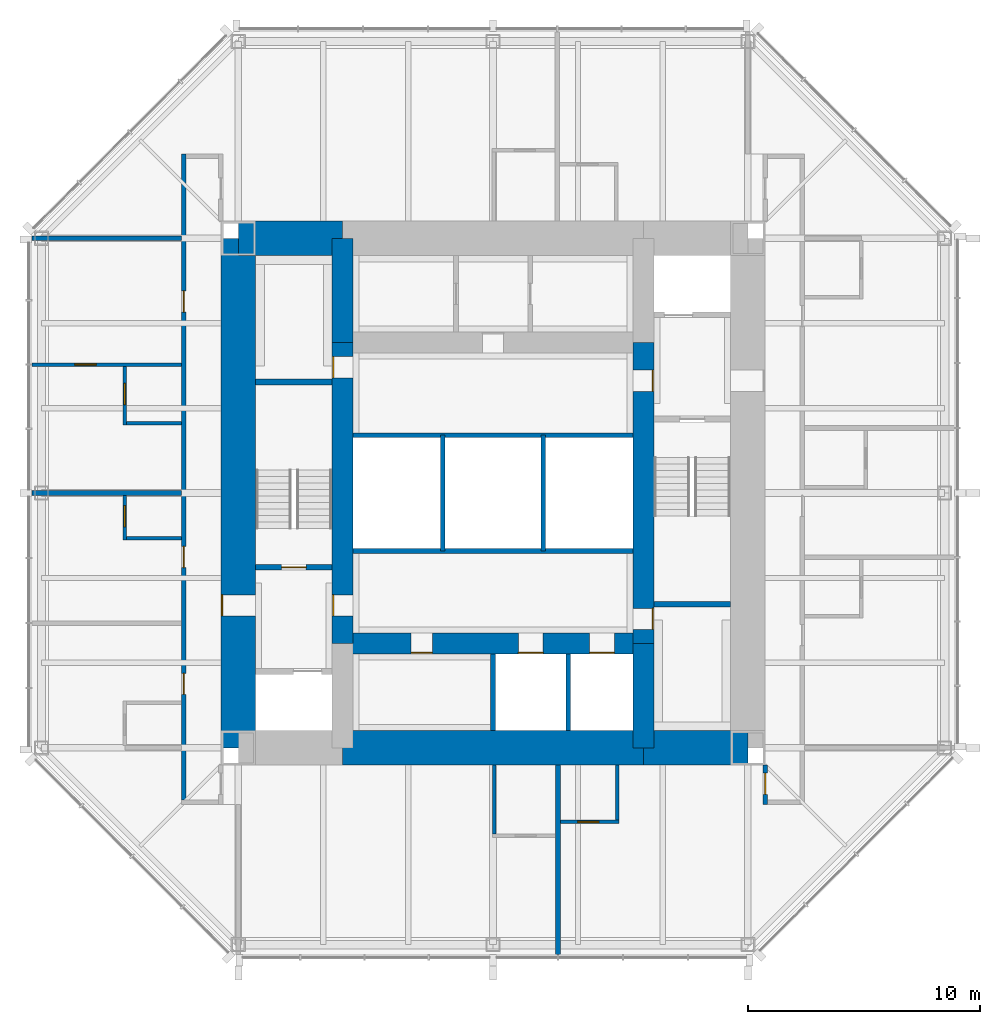
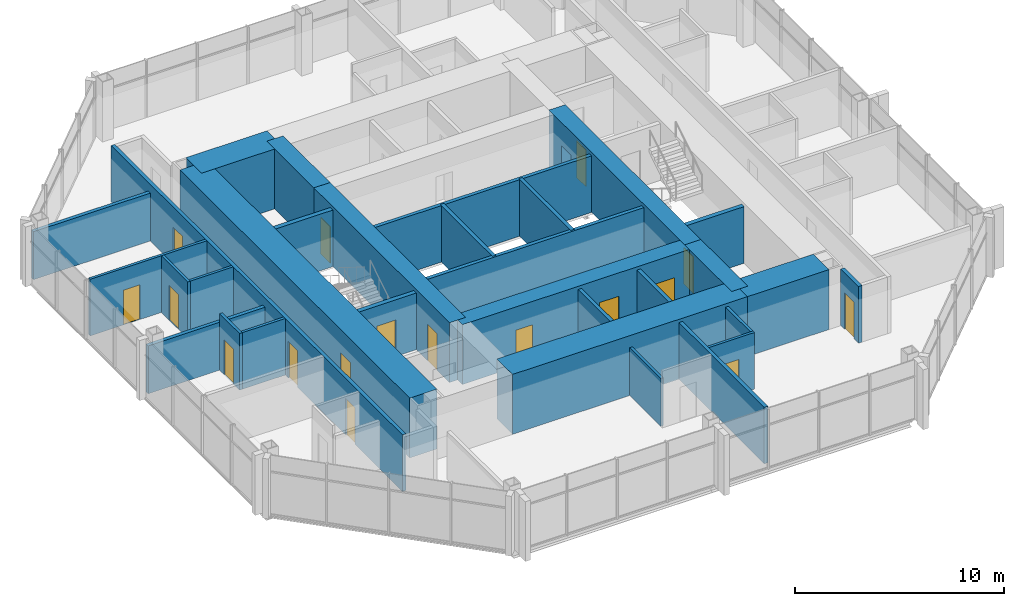
# One storey, part 8 of 11: 31 walls, 17 doors, 17 openings.
"""IFC4 building model written with IfcOpenShell, lengths in metres."""

from ifc_helpers import new_model, si_unit, direction, frame, frame_2d, origin, place, context, subcontext, project, spatial, rectangle, extrude, material, layer, layer_set, type_object, element, fill, save


model = new_model("IFC4")

# Units and contexts
model_context = context("Model", 3, precision=1e-05, world=origin(), true_north=direction((0.0, 1.0)))
body_context = subcontext(model_context, "Body", "Model", "MODEL_VIEW")
ifc_project = project(units=[si_unit("LENGTHUNIT", "METRE"), si_unit("AREAUNIT", "SQUARE_METRE"), si_unit("VOLUMEUNIT", "CUBIC_METRE"), si_unit("PLANEANGLEUNIT", "RADIAN"), si_unit("MASSUNIT", "GRAM", prefix="KILO")], contexts=[model_context])

# Site, building, storey
site_placement = place(None, origin())
site = spatial("IfcSite", under=ifc_project, at=site_placement, CompositionType="ELEMENT")
building_placement = place(site_placement, origin())
building = spatial("IfcBuilding", under=site, at=building_placement, Name="Trevanion Tower", CompositionType="ELEMENT")
storey_placement = place(building_placement, frame((0.0, 0.0, 250.199951171875)))
storey = spatial("IfcBuildingStorey", under=building, at=storey_placement, Name="L61", CompositionType="ELEMENT", Elevation=250.199951171875)

# Wall, opening, door
ifc_material_1 = material(Name="Concrete 10,000 psi", Category="concrete")
ifc_layer_1 = layer(ifc_material_1, 1.5)
ifc_layer_set_1 = layer_set([ifc_layer_1], Name="CW1 core wall 1500")
wall_type_1 = type_object("IfcWallType", Name="CW1 core wall 1500", PredefinedType="SHEAR", material=ifc_layer_set_1)
wall_1_placement = place(storey_placement, frame((-11.0, 11.0, 0.0), z_axis=(0.0, 0.0, 1.0), x_axis=(0.0, -1.0, 0.0)))
wall_1 = element("IfcWall", 1, at=wall_1_placement, inside=storey, type_object=wall_type_1, Name="CW1 CW L61", PredefinedType="SHEAR", context=body_context, shape_type="SweptSolid", body=[
    extrude(rectangle(XDim=22.0, YDim=1.5, at=frame_2d((11.0, 0.0))), origin(), (0.0, 0.0, 1.0), 3.5),
])
opening_1_placement = place(wall_1_placement, frame((15.392578125, 0.0, 0.0)))
opening_1 = element("IfcOpeningElement", 2, at=opening_1_placement, cuts=wall_1, Name="Opening 61-002", PredefinedType="OPENING", context=body_context, shape_type="SweptSolid", body=[
    extrude(rectangle(XDim=0.9150390625, YDim=2.134033203125, at=frame_2d((0.45751953125, 1.06689453125))), frame((0.0, 0.760009765625, 0.0), z_axis=(0.0, -1.0, 0.0), x_axis=(1.0, 0.0, 0.0)), (0.0, 0.0, 1.0), 1.52001953125),
])
ifc_material_2 = material(Name="Hollow metal, fire rated", Category="steel")
door_type_1 = type_object("IfcDoorType", Name="D3 fire lift lobby door", OperationType="SINGLE_SWING_RIGHT", PredefinedType="DOOR", material=ifc_material_2)
door_1_placement = place(opening_1_placement, origin())
door_1 = element("IfcDoor", 3, at=door_1_placement, inside=storey, type_object=door_type_1, Name="Door 61-002", OperationType="SINGLE_SWING_RIGHT", OverallHeight=2.134033203125, OverallWidth=0.9150390625, PredefinedType="DOOR", context=body_context, shape_type="SweptSolid", body=[
    extrude(rectangle(XDim=0.9150390625, YDim=2.134033203125, at=frame_2d((0.45751953125, 1.06689453125))), frame((0.0, -0.6748046875, 0.0), z_axis=(0.0, -1.0, 0.0), x_axis=(1.0, 0.0, 0.0)), (0.0, 0.0, 1.0), 0.050048828125),
])
fill(opening_1, door_1)

# Walls
wall_2_placement = place(storey_placement, frame((-6.5, 11.0, 0.0), z_axis=(0.0, 0.0, 1.0), x_axis=(-1.0, 0.0, 0.0)))
element("IfcWall", 4, at=wall_2_placement, inside=storey, type_object=wall_type_1, Name="CW1 CN3 L61", PredefinedType="SHEAR", context=body_context, shape_type="SweptSolid", body=[
    extrude(rectangle(XDim=4.5, YDim=1.5, at=frame_2d((2.25, 0.0))), origin(), (0.0, 0.0, 1.0), 3.5),
])
wall_3_placement = place(storey_placement, frame((-6.5, -11.0, 0.0), z_axis=(0.0, 0.0, 1.0), x_axis=(1.0, 0.0, 0.0)))
element("IfcWall", 5, at=wall_3_placement, inside=storey, type_object=wall_type_1, Name="CW1 CS2 L61", PredefinedType="SHEAR", context=body_context, shape_type="SweptSolid", body=[
    extrude(rectangle(XDim=13.0, YDim=1.5, at=frame_2d((6.5, 0.0))), origin(), (0.0, 0.0, 1.0), 3.5),
])
wall_4_placement = place(storey_placement, frame((6.5, -11.0, 0.0), z_axis=(0.0, 0.0, 1.0), x_axis=(1.0, 0.0, 0.0)))
element("IfcWall", 6, at=wall_4_placement, inside=storey, type_object=wall_type_1, Name="CW1 CS3 L61", PredefinedType="SHEAR", context=body_context, shape_type="SweptSolid", body=[
    extrude(rectangle(XDim=4.5, YDim=1.5, at=frame_2d((2.25, 0.0))), origin(), (0.0, 0.0, 1.0), 3.5),
])
ifc_material_3 = material(Name="Concrete 10,000 psi", Category="concrete")
ifc_layer_2 = layer(ifc_material_3, 0.89990234375)
ifc_layer_set_2 = layer_set([ifc_layer_2], Name="CW2 core wall 900")
wall_type_2 = type_object("IfcWallType", Name="CW2 core wall 900", PredefinedType="SHEAR", material=ifc_layer_set_2)
wall_5_placement = place(storey_placement, frame((6.5, -11.0, 0.0), z_axis=(0.0, 0.0, 1.0), x_axis=(0.0, 1.0, 0.0)))
element("IfcWall", 7, at=wall_5_placement, inside=storey, type_object=wall_type_2, Name="CW2 RE1 L61", PredefinedType="SHEAR", context=body_context, shape_type="SweptSolid", body=[
    extrude(rectangle(XDim=4.5, YDim=0.89990234375, at=frame_2d((2.25, 0.0))), origin(), (0.0, 0.0, 1.0), 3.5),
])

# Wall, openings, doors
wall_6_placement = place(storey_placement, frame((6.5, -6.5, 0.0), z_axis=(0.0, 0.0, 1.0), x_axis=(0.0, 1.0, 0.0)))
wall_6 = element("IfcWall", 8, at=wall_6_placement, inside=storey, type_object=wall_type_2, Name="CW2 RE2 L61", PredefinedType="SHEAR", context=body_context, shape_type="SweptSolid", body=[
    extrude(rectangle(XDim=13.0, YDim=0.89990234375, at=frame_2d((6.5, 0.0))), origin(), (0.0, 0.0, 1.0), 3.5),
])
opening_2_placement = place(wall_6_placement, frame((10.892578125, 0.0, 0.0)))
opening_2 = element("IfcOpeningElement", 9, at=opening_2_placement, cuts=wall_6, Name="Opening 61-003", PredefinedType="OPENING", context=body_context, shape_type="SweptSolid", body=[
    extrude(rectangle(XDim=0.9150390625, YDim=2.134033203125, at=frame_2d((0.45751953125, 1.06689453125))), frame((0.0, 0.4599609375, 0.0), z_axis=(0.0, -1.0, 0.0), x_axis=(1.0, 0.0, 0.0)), (0.0, 0.0, 1.0), 0.919921875),
])
opening_3_placement = place(wall_6_placement, frame((0.610107421875, 0.0, 0.0)))
opening_3 = element("IfcOpeningElement", 10, at=opening_3_placement, cuts=wall_6, Name="Opening 61-009", PredefinedType="OPENING", context=body_context, shape_type="SweptSolid", body=[
    extrude(rectangle(XDim=0.9150390625, YDim=2.134033203125, at=frame_2d((0.45751953125, 1.06689453125))), frame((0.0, 0.4599609375, 0.0), z_axis=(0.0, -1.0, 0.0), x_axis=(1.0, 0.0, 0.0)), (0.0, 0.0, 1.0), 0.919921875),
])
door_2_placement = place(opening_2_placement, origin())
door_2 = element("IfcDoor", 11, at=door_2_placement, inside=storey, type_object=door_type_1, Name="Door 61-003", OperationType="SINGLE_SWING_RIGHT", OverallHeight=2.134033203125, OverallWidth=0.9150390625, PredefinedType="DOOR", context=body_context, shape_type="SweptSolid", body=[
    extrude(rectangle(XDim=0.9150390625, YDim=2.134033203125, at=frame_2d((0.45751953125, 1.06689453125))), frame((0.0, -0.375, 0.0), z_axis=(0.0, -1.0, 0.0), x_axis=(1.0, 0.0, 0.0)), (0.0, 0.0, 1.0), 0.050048828125),
])
fill(opening_2, door_2)
ifc_material_4 = material(Name="Hollow metal, fire rated", Category="steel")
door_type_2 = type_object("IfcDoorType", Name="D5 service room door", OperationType="SINGLE_SWING_RIGHT", PredefinedType="DOOR", material=ifc_material_4)
door_3_placement = place(opening_3_placement, origin())
door_3 = element("IfcDoor", 12, at=door_3_placement, inside=storey, type_object=door_type_2, Name="Door 61-009", OperationType="SINGLE_SWING_RIGHT", OverallHeight=2.134033203125, OverallWidth=0.9150390625, PredefinedType="DOOR", context=body_context, shape_type="SweptSolid", body=[
    extrude(rectangle(XDim=0.9150390625, YDim=2.134033203125, at=frame_2d((0.45751953125, 1.06689453125))), frame((0.0, -0.375, 0.0), z_axis=(0.0, -1.0, 0.0), x_axis=(1.0, 0.0, 0.0)), (0.0, 0.0, 1.0), 0.050048828125),
])
fill(opening_3, door_3)

# Wall
wall_7_placement = place(storey_placement, frame((-6.5, 11.0, 0.0), z_axis=(0.0, 0.0, 1.0), x_axis=(0.0, -1.0, 0.0)))
element("IfcWall", 13, at=wall_7_placement, inside=storey, type_object=wall_type_2, Name="CW2 RW1 L61", PredefinedType="SHEAR", context=body_context, shape_type="SweptSolid", body=[
    extrude(rectangle(XDim=4.5, YDim=0.89990234375, at=frame_2d((2.25, 0.0))), origin(), (0.0, 0.0, 1.0), 3.5),
])

# Wall, openings, doors
wall_8_placement = place(storey_placement, frame((-6.5, 6.5, 0.0), z_axis=(0.0, 0.0, 1.0), x_axis=(0.0, -1.0, 0.0)))
wall_8 = element("IfcWall", 14, at=wall_8_placement, inside=storey, type_object=wall_type_2, Name="CW2 RW2 L61", PredefinedType="SHEAR", context=body_context, shape_type="SweptSolid", body=[
    extrude(rectangle(XDim=13.0, YDim=0.89990234375, at=frame_2d((6.5, 0.0))), origin(), (0.0, 0.0, 1.0), 3.5),
])
opening_4_placement = place(wall_8_placement, frame((10.892578125, 0.0, 0.0)))
opening_4 = element("IfcOpeningElement", 15, at=opening_4_placement, cuts=wall_8, Name="Opening 61-004", PredefinedType="OPENING", context=body_context, shape_type="SweptSolid", body=[
    extrude(rectangle(XDim=0.9150390625, YDim=2.134033203125, at=frame_2d((0.45751953125, 1.06689453125))), frame((0.0, 0.4599609375, 0.0), z_axis=(0.0, -1.0, 0.0), x_axis=(1.0, 0.0, 0.0)), (0.0, 0.0, 1.0), 0.919921875),
])
opening_5_placement = place(wall_8_placement, frame((0.610107421875, 0.0, 0.0)))
opening_5 = element("IfcOpeningElement", 16, at=opening_5_placement, cuts=wall_8, Name="Opening 61-010", PredefinedType="OPENING", context=body_context, shape_type="SweptSolid", body=[
    extrude(rectangle(XDim=0.9150390625, YDim=2.134033203125, at=frame_2d((0.45751953125, 1.06689453125))), frame((0.0, 0.4599609375, 0.0), z_axis=(0.0, -1.0, 0.0), x_axis=(1.0, 0.0, 0.0)), (0.0, 0.0, 1.0), 0.919921875),
])
door_4_placement = place(opening_4_placement, origin())
door_4 = element("IfcDoor", 17, at=door_4_placement, inside=storey, type_object=door_type_1, Name="Door 61-004", OperationType="SINGLE_SWING_RIGHT", OverallHeight=2.134033203125, OverallWidth=0.9150390625, PredefinedType="DOOR", context=body_context, shape_type="SweptSolid", body=[
    extrude(rectangle(XDim=0.9150390625, YDim=2.134033203125, at=frame_2d((0.45751953125, 1.06689453125))), frame((0.0, -0.375, 0.0), z_axis=(0.0, -1.0, 0.0), x_axis=(1.0, 0.0, 0.0)), (0.0, 0.0, 1.0), 0.050048828125),
])
fill(opening_4, door_4)
door_5_placement = place(opening_5_placement, origin())
door_5 = element("IfcDoor", 18, at=door_5_placement, inside=storey, type_object=door_type_2, Name="Door 61-010", OperationType="SINGLE_SWING_RIGHT", OverallHeight=2.134033203125, OverallWidth=0.9150390625, PredefinedType="DOOR", context=body_context, shape_type="SweptSolid", body=[
    extrude(rectangle(XDim=0.9150390625, YDim=2.134033203125, at=frame_2d((0.45751953125, 1.06689453125))), frame((0.0, -0.375, 0.0), z_axis=(0.0, -1.0, 0.0), x_axis=(1.0, 0.0, 0.0)), (0.0, 0.0, 1.0), 0.050048828125),
])
fill(opening_5, door_5)

wall_9_placement = place(storey_placement, frame((-6.5, -6.5, 0.0), z_axis=(0.0, 0.0, 1.0), x_axis=(1.0, 0.0, 0.0)))
wall_9 = element("IfcWall", 19, at=wall_9_placement, inside=storey, type_object=wall_type_2, Name="CW2 RS L61", PredefinedType="SHEAR", context=body_context, shape_type="SweptSolid", body=[
    extrude(rectangle(XDim=13.0, YDim=0.89990234375, at=frame_2d((6.5, 0.0))), origin(), (0.0, 0.0, 1.0), 3.5),
])
opening_6_placement = place(wall_9_placement, frame((7.591552734375, 0.0, 0.0)))
opening_6 = element("IfcOpeningElement", 20, at=opening_6_placement, cuts=wall_9, Name="Opening 61-011", PredefinedType="OPENING", context=body_context, shape_type="SweptSolid", body=[
    extrude(rectangle(XDim=1.06689453125, YDim=2.134033203125, at=frame_2d((0.533447265625, 1.06689453125))), frame((0.0, 0.4599609375, 0.0), z_axis=(0.0, -1.0, 0.0), x_axis=(1.0, 0.0, 0.0)), (0.0, 0.0, 1.0), 0.919921875),
])
opening_7_placement = place(wall_9_placement, frame((10.66650390625, 0.0, 0.0)))
opening_7 = element("IfcOpeningElement", 21, at=opening_7_placement, cuts=wall_9, Name="Opening 61-012", PredefinedType="OPENING", context=body_context, shape_type="SweptSolid", body=[
    extrude(rectangle(XDim=1.06689453125, YDim=2.134033203125, at=frame_2d((0.533447265625, 1.06689453125))), frame((0.0, 0.4599609375, 0.0), z_axis=(0.0, -1.0, 0.0), x_axis=(1.0, 0.0, 0.0)), (0.0, 0.0, 1.0), 0.919921875),
])
opening_8_placement = place(wall_9_placement, frame((2.967529296875, 0.0, 0.0)))
opening_8 = element("IfcOpeningElement", 22, at=opening_8_placement, cuts=wall_9, Name="Opening 61-013", PredefinedType="OPENING", context=body_context, shape_type="SweptSolid", body=[
    extrude(rectangle(XDim=0.9150390625, YDim=2.134033203125, at=frame_2d((0.45751953125, 1.06689453125))), frame((0.0, 0.4599609375, 0.0), z_axis=(0.0, -1.0, 0.0), x_axis=(1.0, 0.0, 0.0)), (0.0, 0.0, 1.0), 0.919921875),
])
door_6_placement = place(opening_8_placement, origin())
door_6 = element("IfcDoor", 23, at=door_6_placement, inside=storey, type_object=door_type_2, Name="Door 61-013", OperationType="SINGLE_SWING_RIGHT", OverallHeight=2.134033203125, OverallWidth=0.9150390625, PredefinedType="DOOR", context=body_context, shape_type="SweptSolid", body=[
    extrude(rectangle(XDim=0.9150390625, YDim=2.134033203125, at=frame_2d((0.45751953125, 1.06689453125))), frame((0.0, -0.375, 0.0), z_axis=(0.0, -1.0, 0.0), x_axis=(1.0, 0.0, 0.0)), (0.0, 0.0, 1.0), 0.050048828125),
])
fill(opening_8, door_6)
ifc_material_5 = material(Name="Stainless steel, fire rated", Category="steel")
door_type_3 = type_object("IfcDoorType", Name="LD1 lift landing door", OperationType="SLIDING_TO_LEFT", PredefinedType="DOOR", material=ifc_material_5)
door_7_placement = place(opening_6_placement, origin())
door_7 = element("IfcDoor", 24, at=door_7_placement, inside=storey, type_object=door_type_3, Name="Door 61-011", OperationType="SLIDING_TO_LEFT", OverallHeight=2.134033203125, OverallWidth=1.06689453125, PredefinedType="DOOR", context=body_context, shape_type="SweptSolid", body=[
    extrude(rectangle(XDim=1.06689453125, YDim=2.134033203125, at=frame_2d((0.533447265625, 1.06689453125))), frame((0.0, -0.375, 0.0), z_axis=(0.0, -1.0, 0.0), x_axis=(1.0, 0.0, 0.0)), (0.0, 0.0, 1.0), 0.050048828125),
])
fill(opening_6, door_7)
door_8_placement = place(opening_7_placement, origin())
door_8 = element("IfcDoor", 25, at=door_8_placement, inside=storey, type_object=door_type_3, Name="Door 61-012", OperationType="SLIDING_TO_LEFT", OverallHeight=2.134033203125, OverallWidth=1.06689453125, PredefinedType="DOOR", context=body_context, shape_type="SweptSolid", body=[
    extrude(rectangle(XDim=1.06689453125, YDim=2.134033203125, at=frame_2d((0.533447265625, 1.06689453125))), frame((0.0, -0.375, 0.0), z_axis=(0.0, -1.0, 0.0), x_axis=(1.0, 0.0, 0.0)), (0.0, 0.0, 1.0), 0.050048828125),
])
fill(opening_7, door_8)

# Wall, opening, door
ifc_material_6 = material(Name="Gypsum board on steel studs", Category="steel")
ifc_layer_3 = layer(ifc_material_6, 0.14990234375)
ifc_layer_set_3 = layer_set([ifc_layer_3], Name="PT1 partition 150")
wall_type_3 = type_object("IfcWallType", Name="PT1 partition 150", PredefinedType="PARTITIONING", material=ifc_layer_set_3)
wall_10_placement = place(storey_placement, frame((-13.449951171875, 5.549072265625, 0.0), z_axis=(0.0, 0.0, 1.0), x_axis=(-1.0, 0.0, 0.0)))
wall_10 = element("IfcWall", 26, at=wall_10_placement, inside=storey, type_object=wall_type_3, Name="PT1 L61 SW20", PredefinedType="PARTITIONING", context=body_context, shape_type="SweptSolid", body=[
    extrude(rectangle(XDim=6.465087890625, YDim=0.14990234375, at=frame_2d((3.232421875, 0.0))), origin(), (0.0, 0.0, 1.0), 3.31005859375),
])
opening_9_placement = place(wall_10_placement, frame((3.6923828125, 0.0, 0.0)))
opening_9 = element("IfcOpeningElement", 27, at=opening_9_placement, cuts=wall_10, Name="Opening 61-029", PredefinedType="OPENING", context=body_context, shape_type="SweptSolid", body=[
    extrude(rectangle(XDim=0.9150390625, YDim=2.031982421875, at=frame_2d((0.45751953125, 1.01611328125))), frame((0.0, 0.0849609375, 0.0), z_axis=(0.0, -1.0, 0.0), x_axis=(1.0, 0.0, 0.0)), (0.0, 0.0, 1.0), 0.169921875),
])
ifc_material_7 = material(Name="Timber veneer", Category="wood")
door_type_4 = type_object("IfcDoorType", Name="D7 bathroom door", OperationType="SINGLE_SWING_LEFT", PredefinedType="DOOR", material=ifc_material_7)
door_9_placement = place(opening_9_placement, origin())
door_9 = element("IfcDoor", 28, at=door_9_placement, inside=storey, type_object=door_type_4, Name="Door 61-029", OperationType="SINGLE_SWING_LEFT", OverallHeight=2.031982421875, OverallWidth=0.9150390625, PredefinedType="DOOR", context=body_context, shape_type="SweptSolid", body=[
    extrude(rectangle(XDim=0.9150390625, YDim=2.031982421875, at=frame_2d((0.45751953125, 1.01611328125))), frame((0.0, 0.02490234375, 0.0), z_axis=(0.0, -1.0, 0.0), x_axis=(1.0, 0.0, 0.0)), (0.0, 0.0, 1.0), 0.050048828125),
])
fill(opening_9, door_9)

wall_11_placement = place(storey_placement, frame((-15.89990234375, 5.47412109375, 0.0), z_axis=(0.0, 0.0, 1.0), x_axis=(0.0, -1.0, 0.0)))
wall_11 = element("IfcWall", 29, at=wall_11_placement, inside=storey, type_object=wall_type_3, Name="PT1 L61 BA20", PredefinedType="PARTITIONING", context=body_context, shape_type="SweptSolid", body=[
    extrude(rectangle(XDim=2.525146484375, YDim=0.14990234375, at=frame_2d((1.2626953125, 0.0))), origin(), (0.0, 0.0, 1.0), 3.31005859375),
])
opening_10_placement = place(wall_11_placement, frame((0.742431640625, 0.0, 0.0)))
opening_10 = element("IfcOpeningElement", 30, at=opening_10_placement, cuts=wall_11, Name="Opening 61-027", PredefinedType="OPENING", context=body_context, shape_type="SweptSolid", body=[
    extrude(rectangle(XDim=0.9150390625, YDim=2.031982421875, at=frame_2d((0.45751953125, 1.01611328125))), frame((0.0, 0.0849609375, 0.0), z_axis=(0.0, -1.0, 0.0), x_axis=(1.0, 0.0, 0.0)), (0.0, 0.0, 1.0), 0.169921875),
])
door_10_placement = place(opening_10_placement, origin())
door_10 = element("IfcDoor", 31, at=door_10_placement, inside=storey, type_object=door_type_4, Name="Door 61-027", OperationType="SINGLE_SWING_LEFT", OverallHeight=2.031982421875, OverallWidth=0.9150390625, PredefinedType="DOOR", context=body_context, shape_type="SweptSolid", body=[
    extrude(rectangle(XDim=0.9150390625, YDim=2.031982421875, at=frame_2d((0.45751953125, 1.01611328125))), frame((0.0, 0.02490234375, 0.0), z_axis=(0.0, -1.0, 0.0), x_axis=(1.0, 0.0, 0.0)), (0.0, 0.0, 1.0), 0.050048828125),
])
fill(opening_10, door_10)

# Wall
wall_12_placement = place(storey_placement, frame((-13.449951171875, 3.02392578125, 0.0), z_axis=(0.0, 0.0, 1.0), x_axis=(-1.0, 0.0, 0.0)))
element("IfcWall", 32, at=wall_12_placement, inside=storey, type_object=wall_type_3, Name="PT1 L61 BB20", PredefinedType="PARTITIONING", context=body_context, shape_type="SweptSolid", body=[
    extrude(rectangle(XDim=2.375, YDim=0.14990234375, at=frame_2d((1.1875, 0.0))), origin(), (0.0, 0.0, 1.0), 3.31005859375),
])

# Wall, opening, door
wall_13_placement = place(storey_placement, frame((-15.89990234375, -0.10009765625, 0.0), z_axis=(0.0, 0.0, 1.0), x_axis=(0.0, -1.0, 0.0)))
wall_13 = element("IfcWall", 33, at=wall_13_placement, inside=storey, type_object=wall_type_3, Name="PT1 L61 BA21", PredefinedType="PARTITIONING", context=body_context, shape_type="SweptSolid", body=[
    extrude(rectangle(XDim=1.9248046875, YDim=0.14990234375, at=frame_2d((0.96240234375, 0.0))), origin(), (0.0, 0.0, 1.0), 3.31005859375),
])
opening_11_placement = place(wall_13_placement, frame((0.4423828125, 0.0, 0.0)))
opening_11 = element("IfcOpeningElement", 34, at=opening_11_placement, cuts=wall_13, Name="Opening 61-030", PredefinedType="OPENING", context=body_context, shape_type="SweptSolid", body=[
    extrude(rectangle(XDim=0.9150390625, YDim=2.031982421875, at=frame_2d((0.45751953125, 1.01611328125))), frame((0.0, 0.0849609375, 0.0), z_axis=(0.0, -1.0, 0.0), x_axis=(1.0, 0.0, 0.0)), (0.0, 0.0, 1.0), 0.169921875),
])
door_11_placement = place(opening_11_placement, origin())
door_11 = element("IfcDoor", 35, at=door_11_placement, inside=storey, type_object=door_type_4, Name="Door 61-030", OperationType="SINGLE_SWING_LEFT", OverallHeight=2.031982421875, OverallWidth=0.9150390625, PredefinedType="DOOR", context=body_context, shape_type="SweptSolid", body=[
    extrude(rectangle(XDim=0.9150390625, YDim=2.031982421875, at=frame_2d((0.45751953125, 1.01611328125))), frame((0.0, 0.02490234375, 0.0), z_axis=(0.0, -1.0, 0.0), x_axis=(1.0, 0.0, 0.0)), (0.0, 0.0, 1.0), 0.050048828125),
])
fill(opening_11, door_11)

# Walls
wall_14_placement = place(storey_placement, frame((-13.449951171875, -1.949951171875, 0.0), z_axis=(0.0, 0.0, 1.0), x_axis=(-1.0, 0.0, 0.0)))
element("IfcWall", 36, at=wall_14_placement, inside=storey, type_object=wall_type_3, Name="PT1 L61 BB21", PredefinedType="PARTITIONING", context=body_context, shape_type="SweptSolid", body=[
    extrude(rectangle(XDim=2.375, YDim=0.14990234375, at=frame_2d((1.1875, 0.0))), origin(), (0.0, 0.0, 1.0), 3.31005859375),
])
wall_15_placement = place(storey_placement, frame((0.056884765625, -11.75, 0.0), z_axis=(0.0, 0.0, 1.0), x_axis=(0.0, -1.0, 0.0)))
element("IfcWall", 37, at=wall_15_placement, inside=storey, type_object=wall_type_3, Name="PT1 L61 BB30", PredefinedType="PARTITIONING", context=body_context, shape_type="SweptSolid", body=[
    extrude(rectangle(XDim=2.97509765625, YDim=0.14990234375, at=frame_2d((1.487548828125, 0.0))), origin(), (0.0, 0.0, 1.0), 2.802001953125),
])

# Wall, opening, door
wall_16_placement = place(storey_placement, frame((2.906982421875, -14.199951171875, 0.0), z_axis=(0.0, 0.0, 1.0), x_axis=(1.0, 0.0, 0.0)))
wall_16 = element("IfcWall", 38, at=wall_16_placement, inside=storey, type_object=wall_type_3, Name="PT1 L61 BA31", PredefinedType="PARTITIONING", context=body_context, shape_type="SweptSolid", body=[
    extrude(rectangle(XDim=2.52490234375, YDim=0.14990234375, at=frame_2d((1.262451171875, 0.0))), origin(), (0.0, 0.0, 1.0), 3.31005859375),
])
opening_12_placement = place(wall_16_placement, frame((0.742431640625, 0.0, 0.0)))
opening_12 = element("IfcOpeningElement", 39, at=opening_12_placement, cuts=wall_16, Name="Opening 61-037", PredefinedType="OPENING", context=body_context, shape_type="SweptSolid", body=[
    extrude(rectangle(XDim=0.9150390625, YDim=2.031982421875, at=frame_2d((0.45751953125, 1.01611328125))), frame((0.0, 0.0849609375, 0.0), z_axis=(0.0, -1.0, 0.0), x_axis=(1.0, 0.0, 0.0)), (0.0, 0.0, 1.0), 0.169921875),
])
door_12_placement = place(opening_12_placement, origin())
door_12 = element("IfcDoor", 40, at=door_12_placement, inside=storey, type_object=door_type_4, Name="Door 61-037", OperationType="SINGLE_SWING_LEFT", OverallHeight=2.031982421875, OverallWidth=0.9150390625, PredefinedType="DOOR", context=body_context, shape_type="SweptSolid", body=[
    extrude(rectangle(XDim=0.9150390625, YDim=2.031982421875, at=frame_2d((0.45751953125, 1.01611328125))), frame((0.0, 0.02490234375, 0.0), z_axis=(0.0, -1.0, 0.0), x_axis=(1.0, 0.0, 0.0)), (0.0, 0.0, 1.0), 0.050048828125),
])
fill(opening_12, door_12)

# Walls
wall_17_placement = place(storey_placement, frame((5.35693359375, -11.75, 0.0), z_axis=(0.0, 0.0, 1.0), x_axis=(0.0, -1.0, 0.0)))
element("IfcWall", 41, at=wall_17_placement, inside=storey, type_object=wall_type_3, Name="PT1 L61 BB31", PredefinedType="PARTITIONING", context=body_context, shape_type="SweptSolid", body=[
    extrude(rectangle(XDim=2.375, YDim=0.14990234375, at=frame_2d((1.1875, 0.0))), origin(), (0.0, 0.0, 1.0), 3.31005859375),
])
ifc_material_8 = material(Name="Concrete masonry, grouted", Category="masonry")
ifc_layer_4 = layer(ifc_material_8, 0.199951171875)
ifc_layer_set_4 = layer_set([ifc_layer_4], Name="PT2 partition 200 1 HR")
wall_type_4 = type_object("IfcWallType", Name="PT2 partition 200 1 HR", PredefinedType="PARTITIONING", material=ifc_layer_set_4)
for number, where, z_axis, x_axis, name in (
    (42, (-6.050048828125, 2.5, 0.0), (0.0, 0.0, 1.0), (1.0, 0.0, 0.0), "PT2 L61 CP1"),
    (43, (6.050048828125, -2.5, 0.0), (0.0, 0.0, 1.0), (-1.0, 0.0, 0.0), "PT2 L61 CP2"),
):
    element("IfcWall", number, at=place(storey_placement, frame(where, z_axis=z_axis, x_axis=x_axis)), inside=storey, type_object=wall_type_4, Name=name, PredefinedType="PARTITIONING", context=body_context, shape_type="SweptSolid", body=[
        extrude(rectangle(XDim=12.10009765625, YDim=0.199951171875, at=frame_2d((6.050048828125, 0.0))), origin(), (0.0, 0.0, 1.0), 3.31005859375),
    ])

# Wall, opening, door
wall_18_placement = place(storey_placement, frame((11.75, -11.75, 0.0), z_axis=(0.0, 0.0, 1.0), x_axis=(0.0, -1.0, 0.0)))
wall_18 = element("IfcWall", 44, at=wall_18_placement, inside=storey, type_object=wall_type_4, Name="PT2 L61 HO3b", PredefinedType="PARTITIONING", context=body_context, shape_type="SweptSolid", body=[
    extrude(rectangle(XDim=1.699951171875, YDim=0.199951171875, at=frame_2d((0.85009765625, 0.0))), origin(), (0.0, 0.0, 1.0), 3.31005859375),
])
opening_13_placement = place(wall_18_placement, frame((0.342529296875, 0.0, 0.0)))
opening_13 = element("IfcOpeningElement", 45, at=opening_13_placement, cuts=wall_18, Name="Opening 61-035", PredefinedType="OPENING", context=body_context, shape_type="SweptSolid", body=[
    extrude(rectangle(XDim=0.9150390625, YDim=2.134033203125, at=frame_2d((0.45751953125, 1.06689453125))), frame((0.0, 0.10986328125, 0.0), z_axis=(0.0, -1.0, 0.0), x_axis=(1.0, 0.0, 0.0)), (0.0, 0.0, 1.0), 0.219970703125),
])
ifc_material_9 = material(Name="Timber veneer, fire rated", Category="wood")
door_type_5 = type_object("IfcDoorType", Name="D6 guest room entrance door", OperationType="SINGLE_SWING_LEFT", PredefinedType="DOOR", material=ifc_material_9)
door_13_placement = place(opening_13_placement, origin())
door_13 = element("IfcDoor", 46, at=door_13_placement, inside=storey, type_object=door_type_5, Name="Door 61-035", OperationType="SINGLE_SWING_LEFT", OverallHeight=2.134033203125, OverallWidth=0.9150390625, PredefinedType="DOOR", context=body_context, shape_type="SweptSolid", body=[
    extrude(rectangle(XDim=0.9150390625, YDim=2.134033203125, at=frame_2d((0.45751953125, 1.06689453125))), frame((0.0, 0.02490234375, 0.0), z_axis=(0.0, -1.0, 0.0), x_axis=(1.0, 0.0, 0.0)), (0.0, 0.0, 1.0), 0.050048828125),
])
fill(opening_13, door_13)

# Wall, openings, doors
wall_19_placement = place(storey_placement, frame((-13.35009765625, 14.64990234375, 0.0), z_axis=(0.0, 0.0, 1.0), x_axis=(0.0, -1.0, 0.0)))
wall_19 = element("IfcWall", 47, at=wall_19_placement, inside=storey, type_object=wall_type_4, Name="PT2 L61 HC2", PredefinedType="PARTITIONING", context=body_context, shape_type="SweptSolid", body=[
    extrude(rectangle(XDim=27.89990234375, YDim=0.199951171875, at=frame_2d((13.949951171875, 0.0))), origin(), (0.0, 0.0, 1.0), 3.31005859375),
])
opening_14_placement = place(wall_19_placement, frame((5.91796875, 0.0, 0.0)))
opening_14 = element("IfcOpeningElement", 48, at=opening_14_placement, cuts=wall_19, Name="Opening 61-028", PredefinedType="OPENING", context=body_context, shape_type="SweptSolid", body=[
    extrude(rectangle(XDim=0.9150390625, YDim=2.134033203125, at=frame_2d((0.45751953125, 1.06689453125))), frame((0.0, 0.10986328125, 0.0), z_axis=(0.0, -1.0, 0.0), x_axis=(1.0, 0.0, 0.0)), (0.0, 0.0, 1.0), 0.219970703125),
])
opening_15_placement = place(wall_19_placement, frame((16.952392578125, 0.0, 0.0)))
opening_15 = element("IfcOpeningElement", 49, at=opening_15_placement, cuts=wall_19, Name="Opening 61-031", PredefinedType="OPENING", context=body_context, shape_type="SweptSolid", body=[
    extrude(rectangle(XDim=0.9150390625, YDim=2.134033203125, at=frame_2d((0.45751953125, 1.06689453125))), frame((0.0, 0.10986328125, 0.0), z_axis=(0.0, -1.0, 0.0), x_axis=(1.0, 0.0, 0.0)), (0.0, 0.0, 1.0), 0.219970703125),
])
opening_16_placement = place(wall_19_placement, frame((22.4326171875, 0.0, 0.0)))
opening_16 = element("IfcOpeningElement", 50, at=opening_16_placement, cuts=wall_19, Name="Opening 61-033", PredefinedType="OPENING", context=body_context, shape_type="SweptSolid", body=[
    extrude(rectangle(XDim=0.9150390625, YDim=2.134033203125, at=frame_2d((0.45751953125, 1.06689453125))), frame((0.0, 0.10986328125, 0.0), z_axis=(0.0, -1.0, 0.0), x_axis=(1.0, 0.0, 0.0)), (0.0, 0.0, 1.0), 0.219970703125),
])
door_14_placement = place(opening_14_placement, origin())
door_14 = element("IfcDoor", 51, at=door_14_placement, inside=storey, type_object=door_type_5, Name="Door 61-028", OperationType="SINGLE_SWING_LEFT", OverallHeight=2.134033203125, OverallWidth=0.9150390625, PredefinedType="DOOR", context=body_context, shape_type="SweptSolid", body=[
    extrude(rectangle(XDim=0.9150390625, YDim=2.134033203125, at=frame_2d((0.45751953125, 1.06689453125))), frame((0.0, 0.02490234375, 0.0), z_axis=(0.0, -1.0, 0.0), x_axis=(1.0, 0.0, 0.0)), (0.0, 0.0, 1.0), 0.050048828125),
])
fill(opening_14, door_14)
door_15_placement = place(opening_15_placement, origin())
door_15 = element("IfcDoor", 52, at=door_15_placement, inside=storey, type_object=door_type_5, Name="Door 61-031", OperationType="SINGLE_SWING_LEFT", OverallHeight=2.134033203125, OverallWidth=0.9150390625, PredefinedType="DOOR", context=body_context, shape_type="SweptSolid", body=[
    extrude(rectangle(XDim=0.9150390625, YDim=2.134033203125, at=frame_2d((0.45751953125, 1.06689453125))), frame((0.0, 0.02490234375, 0.0), z_axis=(0.0, -1.0, 0.0), x_axis=(1.0, 0.0, 0.0)), (0.0, 0.0, 1.0), 0.050048828125),
])
fill(opening_15, door_15)
door_16_placement = place(opening_16_placement, origin())
door_16 = element("IfcDoor", 53, at=door_16_placement, inside=storey, type_object=door_type_5, Name="Door 61-033", OperationType="SINGLE_SWING_LEFT", OverallHeight=2.134033203125, OverallWidth=0.9150390625, PredefinedType="DOOR", context=body_context, shape_type="SweptSolid", body=[
    extrude(rectangle(XDim=0.9150390625, YDim=2.134033203125, at=frame_2d((0.45751953125, 1.06689453125))), frame((0.0, 0.02490234375, 0.0), z_axis=(0.0, -1.0, 0.0), x_axis=(1.0, 0.0, 0.0)), (0.0, 0.0, 1.0), 0.050048828125),
])
fill(opening_16, door_16)

# Walls
for number, where, z_axis, x_axis, name in (
    (54, (-13.449951171875, 11.0, 0.0), (0.0, 0.0, 1.0), (-1.0, 0.0, 0.0), "PT2 L61 HD20"),
    (55, (-13.449951171875, 0.0, 0.0), (0.0, 0.0, 1.0), (-1.0, 0.0, 0.0), "PT2 L61 HD21"),
):
    element("IfcWall", number, at=place(storey_placement, frame(where, z_axis=z_axis, x_axis=x_axis)), inside=storey, type_object=wall_type_4, Name=name, PredefinedType="PARTITIONING", context=body_context, shape_type="SweptSolid", body=[
        extrude(rectangle(XDim=6.465087890625, YDim=0.199951171875, at=frame_2d((3.232421875, 0.0))), origin(), (0.0, 0.0, 1.0), 2.802001953125),
    ])
wall_20_placement = place(storey_placement, frame((2.806884765625, -11.75, 0.0), z_axis=(0.0, 0.0, 1.0), x_axis=(0.0, -1.0, 0.0)))
element("IfcWall", 56, at=wall_20_placement, inside=storey, type_object=wall_type_4, Name="PT2 L61 HD31", PredefinedType="PARTITIONING", context=body_context, shape_type="SweptSolid", body=[
    extrude(rectangle(XDim=8.1650390625, YDim=0.199951171875, at=frame_2d((4.08251953125, 0.0))), origin(), (0.0, 0.0, 1.0), 3.31005859375),
])
ifc_material_10 = material(Name="Concrete masonry, grouted", Category="masonry")
ifc_layer_5 = layer(ifc_material_10, 0.199951171875)
ifc_layer_set_5 = layer_set([ifc_layer_5], Name="PT2 partition 200 2 HR")
wall_type_5 = type_object("IfcWallType", Name="PT2 partition 200 2 HR", PredefinedType="PARTITIONING", material=ifc_layer_set_5)
for number, where, z_axis, x_axis, name in (
    (57, (0.0, -10.25, 0.0), (0.0, 0.0, 1.0), (0.0, 1.0, 0.0), "PT2 L61 SS1"),
    (58, (3.25, -10.25, 0.0), (0.0, 0.0, 1.0), (0.0, 1.0, 0.0), "PT2 L61 SS2"),
):
    element("IfcWall", number, at=place(storey_placement, frame(where, z_axis=z_axis, x_axis=x_axis)), inside=storey, type_object=wall_type_5, Name=name, PredefinedType="PARTITIONING", context=body_context, shape_type="SweptSolid", body=[
        extrude(rectangle(XDim=3.300048828125, YDim=0.199951171875, at=frame_2d((1.64990234375, 0.0))), origin(), (0.0, 0.0, 1.0), 3.31005859375),
    ])
for number, where, z_axis, x_axis, name in (
    (59, (-2.166748046875, -2.5, 0.0), (0.0, 0.0, 1.0), (0.0, 1.0, 0.0), "PT2 L61 MS0"),
    (60, (2.166748046875, -2.5, 0.0), (0.0, 0.0, 1.0), (0.0, 1.0, 0.0), "PT2 L61 MS1"),
):
    element("IfcWall", number, at=place(storey_placement, frame(where, z_axis=z_axis, x_axis=x_axis)), inside=storey, type_object=wall_type_5, Name=name, PredefinedType="PARTITIONING", context=body_context, shape_type="SweptSolid", body=[
        extrude(rectangle(XDim=5.0, YDim=0.199951171875, at=frame_2d((2.5, 0.0))), origin(), (0.0, 0.0, 1.0), 3.31005859375),
    ])
ifc_material_11 = material(Name="Reinforced masonry, fully grouted", Category="masonry")
ifc_layer_6 = layer(ifc_material_11, 0.25)
ifc_layer_set_6 = layer_set([ifc_layer_6], Name="SW1 stair shaft wall 250")
wall_type_6 = type_object("IfcWallType", Name="SW1 stair shaft wall 250", PredefinedType="SOLIDWALL", material=ifc_layer_set_6)
for number, where, z_axis, x_axis, name in (
    (61, (6.949951171875, -4.800048828125, 0.0), (0.0, 0.0, 1.0), (1.0, 0.0, 0.0), "SW1 L61 EP1"),
    (62, (-6.949951171875, 4.800048828125, 0.0), (0.0, 0.0, 1.0), (-1.0, 0.0, 0.0), "SW1 L61 WP1"),
):
    element("IfcWall", number, at=place(storey_placement, frame(where, z_axis=z_axis, x_axis=x_axis)), inside=storey, type_object=wall_type_6, Name=name, PredefinedType="SOLIDWALL", context=body_context, shape_type="SweptSolid", body=[
        extrude(rectangle(XDim=3.300048828125, YDim=0.25, at=frame_2d((1.64990234375, 0.0))), origin(), (0.0, 0.0, 1.0), 3.31005859375),
    ])

# Wall, opening, door
wall_21_placement = place(storey_placement, frame((-6.949951171875, -3.199951171875, 0.0), z_axis=(0.0, 0.0, 1.0), x_axis=(-1.0, 0.0, 0.0)))
wall_21 = element("IfcWall", 63, at=wall_21_placement, inside=storey, type_object=wall_type_6, Name="SW1 L61 WP2", PredefinedType="SOLIDWALL", context=body_context, shape_type="SweptSolid", body=[
    extrude(rectangle(XDim=3.300048828125, YDim=0.25, at=frame_2d((1.64990234375, 0.0))), origin(), (0.0, 0.0, 1.0), 3.31005859375),
])
opening_17_placement = place(wall_21_placement, frame((1.116455078125, 0.0, 0.0)))
opening_17 = element("IfcOpeningElement", 64, at=opening_17_placement, cuts=wall_21, Name="Opening 61-006", PredefinedType="OPENING", context=body_context, shape_type="SweptSolid", body=[
    extrude(rectangle(XDim=1.06689453125, YDim=2.134033203125, at=frame_2d((0.533447265625, 1.06689453125))), frame((0.0, 0.135009765625, 0.0), z_axis=(0.0, -1.0, 0.0), x_axis=(1.0, 0.0, 0.0)), (0.0, 0.0, 1.0), 0.27001953125),
])
ifc_material_12 = material(Name="Hollow metal, fire rated", Category="steel")
door_type_6 = type_object("IfcDoorType", Name="D2 exit stair door", OperationType="SINGLE_SWING_LEFT", PredefinedType="DOOR", material=ifc_material_12)
door_17_placement = place(opening_17_placement, origin())
door_17 = element("IfcDoor", 65, at=door_17_placement, inside=storey, type_object=door_type_6, Name="Door 61-006", OperationType="SINGLE_SWING_LEFT", OverallHeight=2.134033203125, OverallWidth=1.06689453125, PredefinedType="DOOR", context=body_context, shape_type="SweptSolid", body=[
    extrude(rectangle(XDim=1.06689453125, YDim=2.134033203125, at=frame_2d((0.533447265625, 1.06689453125))), frame((0.0, 0.02490234375, 0.0), z_axis=(0.0, -1.0, 0.0), x_axis=(1.0, 0.0, 0.0)), (0.0, 0.0, 1.0), 0.050048828125),
])
fill(opening_17, door_17)

save(model, "model.ifc")
